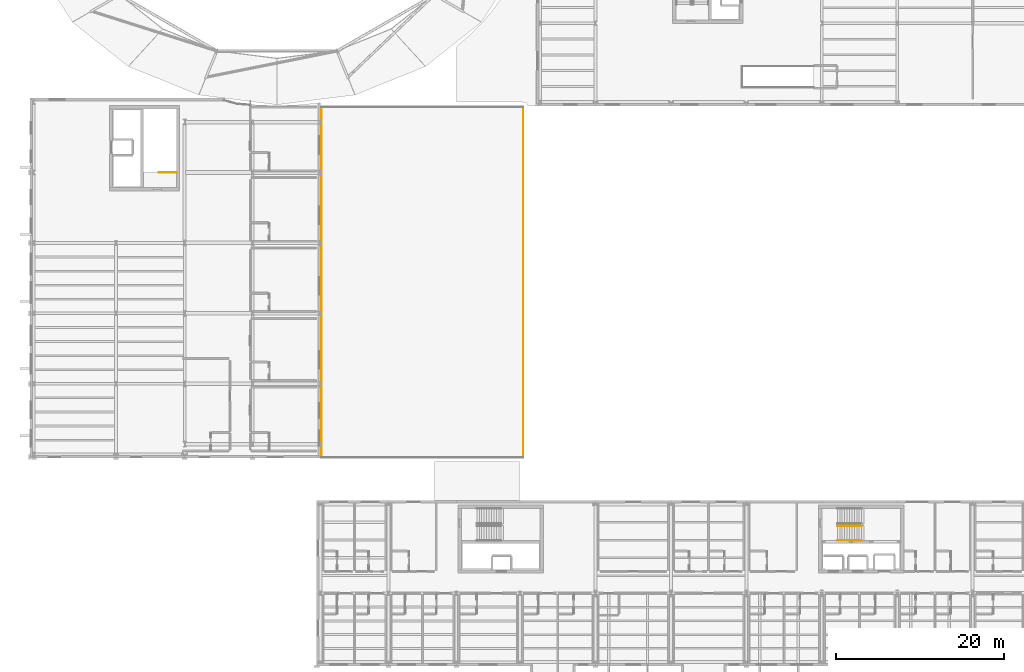
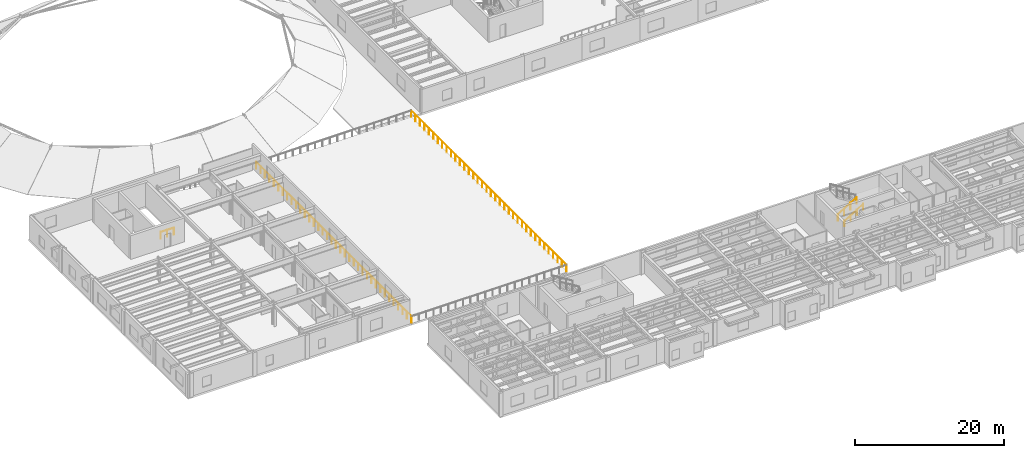
# One storey, part 55 of 59: 5 railings.
"""IFC4 building model written with IfcOpenShell, lengths in metres."""

from ifc_helpers import new_model, si_unit, direction, frame, origin, origin_2d, place, context, subcontext, project, spatial, circle, extrude, material, type_object, element, save


model = new_model("IFC4")

# Units and contexts
model_context = context("Model", 3, precision=1e-05, world=origin(), true_north=direction((0.0, 1.0)))
body_context = subcontext(model_context, "Body", "Model", "MODEL_VIEW")
ifc_project = project(units=[si_unit("LENGTHUNIT", "METRE"), si_unit("AREAUNIT", "SQUARE_METRE"), si_unit("VOLUMEUNIT", "CUBIC_METRE"), si_unit("PLANEANGLEUNIT", "RADIAN"), si_unit("MASSUNIT", "GRAM", prefix="KILO")], contexts=[model_context])

# Site, building, storey
site_placement = place(None, origin())
site = spatial("IfcSite", under=ifc_project, at=site_placement, CompositionType="ELEMENT")
building_placement = place(site_placement, origin())
building = spatial("IfcBuilding", under=site, at=building_placement, Name="Sollismere Congress Hotel", CompositionType="ELEMENT")
storey_placement = place(building_placement, frame((0.0, 0.0, 15.60009765625)))
storey = spatial("IfcBuildingStorey", under=building, at=storey_placement, Name="L03", CompositionType="ELEMENT", Elevation=15.60009765625)

# Railings
ifc_material_1 = material(Name="Laminated Safety Glass & Bronze Cap Rail", Category="glass")
railing_type_1 = type_object("IfcRailingType", Name="RL-GD112", PredefinedType="GUARDRAIL", material=ifc_material_1)
railing_1_placement = place(storey_placement, frame((34.300048828125, 24.419921875, 0.0)))
element("IfcRailing", 1, at=railing_1_placement, inside=storey, type_object=railing_type_1, Name="RLG-GD-L03-001", PredefinedType="GUARDRAIL", context=body_context, shape_type="SweptSolid", body=[
    extrude(circle(Radius=0.02392578125, at=origin_2d()), frame((0.0, 0.0, 1.09619140625), z_axis=(0.0, 1.0, 0.0), x_axis=(-1.0, 0.0, 0.0)), (0.0, 0.0, 1.0), 41.800048828125),
    extrude(circle(Radius=0.02099609375, at=origin_2d()), origin(), (0.0, 0.0, 1.0), 1.072021484375),
    extrude(circle(Radius=0.02099609375, at=origin_2d()), frame((0.0, 1.1943359375, 0.0)), (0.0, 0.0, 1.0), 1.072021484375),
    extrude(circle(Radius=0.02099609375, at=origin_2d()), frame((0.0, 2.388671875, 0.0)), (0.0, 0.0, 1.0), 1.072021484375),
    extrude(circle(Radius=0.02099609375, at=origin_2d()), frame((0.0, 3.582763671875, 0.0)), (0.0, 0.0, 1.0), 1.072021484375),
    extrude(circle(Radius=0.02099609375, at=origin_2d()), frame((0.0, 4.777099609375, 0.0)), (0.0, 0.0, 1.0), 1.072021484375),
    extrude(circle(Radius=0.02099609375, at=origin_2d()), frame((0.0, 5.971435546875, 0.0)), (0.0, 0.0, 1.0), 1.072021484375),
    extrude(circle(Radius=0.02099609375, at=origin_2d()), frame((0.0, 7.165771484375, 0.0)), (0.0, 0.0, 1.0), 1.072021484375),
    extrude(circle(Radius=0.02099609375, at=origin_2d()), frame((0.0, 8.360107421875, 0.0)), (0.0, 0.0, 1.0), 1.072021484375),
    extrude(circle(Radius=0.02099609375, at=origin_2d()), frame((0.0, 9.55419921875, 0.0)), (0.0, 0.0, 1.0), 1.072021484375),
    extrude(circle(Radius=0.02099609375, at=origin_2d()), frame((0.0, 10.74853515625, 0.0)), (0.0, 0.0, 1.0), 1.072021484375),
    extrude(circle(Radius=0.02099609375, at=origin_2d()), frame((0.0, 11.94287109375, 0.0)), (0.0, 0.0, 1.0), 1.072021484375),
    extrude(circle(Radius=0.02099609375, at=origin_2d()), frame((0.0, 13.13720703125, 0.0)), (0.0, 0.0, 1.0), 1.072021484375),
    extrude(circle(Radius=0.02099609375, at=origin_2d()), frame((0.0, 14.33154296875, 0.0)), (0.0, 0.0, 1.0), 1.072021484375),
    extrude(circle(Radius=0.02099609375, at=origin_2d()), frame((0.0, 15.525634765625, 0.0)), (0.0, 0.0, 1.0), 1.072021484375),
    extrude(circle(Radius=0.02099609375, at=origin_2d()), frame((0.0, 16.719970703125, 0.0)), (0.0, 0.0, 1.0), 1.072021484375),
    extrude(circle(Radius=0.02099609375, at=origin_2d()), frame((0.0, 17.914306640625, 0.0)), (0.0, 0.0, 1.0), 1.072021484375),
    extrude(circle(Radius=0.02099609375, at=origin_2d()), frame((0.0, 19.108642578125, 0.0)), (0.0, 0.0, 1.0), 1.072021484375),
    extrude(circle(Radius=0.02099609375, at=origin_2d()), frame((0.0, 20.302978515625, 0.0)), (0.0, 0.0, 1.0), 1.072021484375),
    extrude(circle(Radius=0.02099609375, at=origin_2d()), frame((0.0, 21.4970703125, 0.0)), (0.0, 0.0, 1.0), 1.072021484375),
    extrude(circle(Radius=0.02099609375, at=origin_2d()), frame((0.0, 22.69140625, 0.0)), (0.0, 0.0, 1.0), 1.072021484375),
    extrude(circle(Radius=0.02099609375, at=origin_2d()), frame((0.0, 23.8857421875, 0.0)), (0.0, 0.0, 1.0), 1.072021484375),
    extrude(circle(Radius=0.02099609375, at=origin_2d()), frame((0.0, 25.080078125, 0.0)), (0.0, 0.0, 1.0), 1.072021484375),
    extrude(circle(Radius=0.02099609375, at=origin_2d()), frame((0.0, 26.2744140625, 0.0)), (0.0, 0.0, 1.0), 1.072021484375),
    extrude(circle(Radius=0.02099609375, at=origin_2d()), frame((0.0, 27.468505859375, 0.0)), (0.0, 0.0, 1.0), 1.072021484375),
    extrude(circle(Radius=0.02099609375, at=origin_2d()), frame((0.0, 28.662841796875, 0.0)), (0.0, 0.0, 1.0), 1.072021484375),
    extrude(circle(Radius=0.02099609375, at=origin_2d()), frame((0.0, 29.857177734375, 0.0)), (0.0, 0.0, 1.0), 1.072021484375),
    extrude(circle(Radius=0.02099609375, at=origin_2d()), frame((0.0, 31.051513671875, 0.0)), (0.0, 0.0, 1.0), 1.072021484375),
    extrude(circle(Radius=0.02099609375, at=origin_2d()), frame((0.0, 32.245849609375, 0.0)), (0.0, 0.0, 1.0), 1.072021484375),
    extrude(circle(Radius=0.02099609375, at=origin_2d()), frame((0.0, 33.43994140625, 0.0)), (0.0, 0.0, 1.0), 1.072021484375),
    extrude(circle(Radius=0.02099609375, at=origin_2d()), frame((0.0, 34.63427734375, 0.0)), (0.0, 0.0, 1.0), 1.072021484375),
    extrude(circle(Radius=0.02099609375, at=origin_2d()), frame((0.0, 35.82861328125, 0.0)), (0.0, 0.0, 1.0), 1.072021484375),
    extrude(circle(Radius=0.02099609375, at=origin_2d()), frame((0.0, 37.02294921875, 0.0)), (0.0, 0.0, 1.0), 1.072021484375),
    extrude(circle(Radius=0.02099609375, at=origin_2d()), frame((0.0, 38.21728515625, 0.0)), (0.0, 0.0, 1.0), 1.072021484375),
    extrude(circle(Radius=0.02099609375, at=origin_2d()), frame((0.0, 39.411376953125, 0.0)), (0.0, 0.0, 1.0), 1.072021484375),
    extrude(circle(Radius=0.02099609375, at=origin_2d()), frame((0.0, 40.605712890625, 0.0)), (0.0, 0.0, 1.0), 1.072021484375),
    extrude(circle(Radius=0.02099609375, at=origin_2d()), frame((0.0, 41.800048828125, 0.0)), (0.0, 0.0, 1.0), 1.072021484375),
])
railing_2_placement = place(storey_placement, frame((58.3798828125, 66.219970703125, 0.0)))
element("IfcRailing", 2, at=railing_2_placement, inside=storey, type_object=railing_type_1, Name="RLG-GD-L03-003", PredefinedType="GUARDRAIL", context=body_context, shape_type="SweptSolid", body=[
    extrude(circle(Radius=0.02392578125, at=origin_2d()), frame((0.0, 0.0, 1.09619140625), z_axis=(0.0, -1.0, 0.0), x_axis=(1.0, 0.0, 0.0)), (0.0, 0.0, 1.0), 41.800048828125),
    extrude(circle(Radius=0.02099609375, at=origin_2d()), origin(), (0.0, 0.0, 1.0), 1.072021484375),
    extrude(circle(Radius=0.02099609375, at=origin_2d()), frame((0.0, -1.1943359375, 0.0)), (0.0, 0.0, 1.0), 1.072021484375),
    extrude(circle(Radius=0.02099609375, at=origin_2d()), frame((0.0, -2.388671875, 0.0)), (0.0, 0.0, 1.0), 1.072021484375),
    extrude(circle(Radius=0.02099609375, at=origin_2d()), frame((0.0, -3.582763671875, 0.0)), (0.0, 0.0, 1.0), 1.072021484375),
    extrude(circle(Radius=0.02099609375, at=origin_2d()), frame((0.0, -4.777099609375, 0.0)), (0.0, 0.0, 1.0), 1.072021484375),
    extrude(circle(Radius=0.02099609375, at=origin_2d()), frame((0.0, -5.971435546875, 0.0)), (0.0, 0.0, 1.0), 1.072021484375),
    extrude(circle(Radius=0.02099609375, at=origin_2d()), frame((0.0, -7.165771484375, 0.0)), (0.0, 0.0, 1.0), 1.072021484375),
    extrude(circle(Radius=0.02099609375, at=origin_2d()), frame((0.0, -8.360107421875, 0.0)), (0.0, 0.0, 1.0), 1.072021484375),
    extrude(circle(Radius=0.02099609375, at=origin_2d()), frame((0.0, -9.55419921875, 0.0)), (0.0, 0.0, 1.0), 1.072021484375),
    extrude(circle(Radius=0.02099609375, at=origin_2d()), frame((0.0, -10.74853515625, 0.0)), (0.0, 0.0, 1.0), 1.072021484375),
    extrude(circle(Radius=0.02099609375, at=origin_2d()), frame((0.0, -11.94287109375, 0.0)), (0.0, 0.0, 1.0), 1.072021484375),
    extrude(circle(Radius=0.02099609375, at=origin_2d()), frame((0.0, -13.13720703125, 0.0)), (0.0, 0.0, 1.0), 1.072021484375),
    extrude(circle(Radius=0.02099609375, at=origin_2d()), frame((0.0, -14.33154296875, 0.0)), (0.0, 0.0, 1.0), 1.072021484375),
    extrude(circle(Radius=0.02099609375, at=origin_2d()), frame((0.0, -15.525634765625, 0.0)), (0.0, 0.0, 1.0), 1.072021484375),
    extrude(circle(Radius=0.02099609375, at=origin_2d()), frame((0.0, -16.719970703125, 0.0)), (0.0, 0.0, 1.0), 1.072021484375),
    extrude(circle(Radius=0.02099609375, at=origin_2d()), frame((0.0, -17.914306640625, 0.0)), (0.0, 0.0, 1.0), 1.072021484375),
    extrude(circle(Radius=0.02099609375, at=origin_2d()), frame((0.0, -19.108642578125, 0.0)), (0.0, 0.0, 1.0), 1.072021484375),
    extrude(circle(Radius=0.02099609375, at=origin_2d()), frame((0.0, -20.302978515625, 0.0)), (0.0, 0.0, 1.0), 1.072021484375),
    extrude(circle(Radius=0.02099609375, at=origin_2d()), frame((0.0, -21.4970703125, 0.0)), (0.0, 0.0, 1.0), 1.072021484375),
    extrude(circle(Radius=0.02099609375, at=origin_2d()), frame((0.0, -22.69140625, 0.0)), (0.0, 0.0, 1.0), 1.072021484375),
    extrude(circle(Radius=0.02099609375, at=origin_2d()), frame((0.0, -23.8857421875, 0.0)), (0.0, 0.0, 1.0), 1.072021484375),
    extrude(circle(Radius=0.02099609375, at=origin_2d()), frame((0.0, -25.080078125, 0.0)), (0.0, 0.0, 1.0), 1.072021484375),
    extrude(circle(Radius=0.02099609375, at=origin_2d()), frame((0.0, -26.2744140625, 0.0)), (0.0, 0.0, 1.0), 1.072021484375),
    extrude(circle(Radius=0.02099609375, at=origin_2d()), frame((0.0, -27.468505859375, 0.0)), (0.0, 0.0, 1.0), 1.072021484375),
    extrude(circle(Radius=0.02099609375, at=origin_2d()), frame((0.0, -28.662841796875, 0.0)), (0.0, 0.0, 1.0), 1.072021484375),
    extrude(circle(Radius=0.02099609375, at=origin_2d()), frame((0.0, -29.857177734375, 0.0)), (0.0, 0.0, 1.0), 1.072021484375),
    extrude(circle(Radius=0.02099609375, at=origin_2d()), frame((0.0, -31.051513671875, 0.0)), (0.0, 0.0, 1.0), 1.072021484375),
    extrude(circle(Radius=0.02099609375, at=origin_2d()), frame((0.0, -32.245849609375, 0.0)), (0.0, 0.0, 1.0), 1.072021484375),
    extrude(circle(Radius=0.02099609375, at=origin_2d()), frame((0.0, -33.43994140625, 0.0)), (0.0, 0.0, 1.0), 1.072021484375),
    extrude(circle(Radius=0.02099609375, at=origin_2d()), frame((0.0, -34.63427734375, 0.0)), (0.0, 0.0, 1.0), 1.072021484375),
    extrude(circle(Radius=0.02099609375, at=origin_2d()), frame((0.0, -35.82861328125, 0.0)), (0.0, 0.0, 1.0), 1.072021484375),
    extrude(circle(Radius=0.02099609375, at=origin_2d()), frame((0.0, -37.02294921875, 0.0)), (0.0, 0.0, 1.0), 1.072021484375),
    extrude(circle(Radius=0.02099609375, at=origin_2d()), frame((0.0, -38.21728515625, 0.0)), (0.0, 0.0, 1.0), 1.072021484375),
    extrude(circle(Radius=0.02099609375, at=origin_2d()), frame((0.0, -39.411376953125, 0.0)), (0.0, 0.0, 1.0), 1.072021484375),
    extrude(circle(Radius=0.02099609375, at=origin_2d()), frame((0.0, -40.605712890625, 0.0)), (0.0, 0.0, 1.0), 1.072021484375),
    extrude(circle(Radius=0.02099609375, at=origin_2d()), frame((0.0, -41.800048828125, 0.0)), (0.0, 0.0, 1.0), 1.072021484375),
])
ifc_material_2 = material(Name="Steel ASTM A500 Grade C", Category="steel")
railing_type_2 = type_object("IfcRailingType", Name="RL-GRD112", PredefinedType="GUARDRAIL", material=ifc_material_2)
railing_3_placement = place(storey_placement, frame((95.85009765625, 16.25, 0.17724609375)))
element("IfcRailing", 3, at=railing_3_placement, inside=storey, type_object=railing_type_2, Name="RLG-RG-ST-02-L03-1", PredefinedType="GUARDRAIL", context=body_context, shape_type="SweptSolid", body=[
    extrude(circle(Radius=0.02392578125, at=origin_2d()), frame((0.0, 0.0, 1.09619140625), z_axis=(0.853210801645, 0.0, 0.521566225858), x_axis=(0.0, 1.0, 0.0)), (0.0, 0.0, 1.0), 3.39892578125),
    extrude(circle(Radius=0.02099609375, at=origin_2d()), origin(), (0.0, 0.0, 1.0), 1.072021484375),
    extrude(circle(Radius=0.02099609375, at=origin_2d()), frame((0.966552734375, 0.0, 0.5908203125)), (0.0, 0.0, 1.0), 1.072021484375),
    extrude(circle(Radius=0.02099609375, at=origin_2d()), frame((1.933349609375, 0.0, 1.181884765625)), (0.0, 0.0, 1.0), 1.072021484375),
    extrude(circle(Radius=0.02099609375, at=origin_2d()), frame((2.89990234375, 0.0, 1.772705078125)), (0.0, 0.0, 1.0), 1.072021484375),
])
railing_4_placement = place(storey_placement, frame((17.0, 58.39990234375, 0.0)))
element("IfcRailing", 4, at=railing_4_placement, inside=storey, type_object=railing_type_2, Name="RLG-RG-ST-05-TOP1", PredefinedType="GUARDRAIL", context=body_context, shape_type="SweptSolid", body=[
    extrude(circle(Radius=0.02392578125, at=origin_2d()), frame((0.0, 0.0, 1.09619140625), z_axis=(-1.0, 0.0, 0.0), x_axis=(0.0, -1.0, 0.0)), (0.0, 0.0, 1.0), 2.050048828125),
    extrude(circle(Radius=0.02099609375, at=origin_2d()), origin(), (0.0, 0.0, 1.0), 1.072021484375),
    extrude(circle(Radius=0.02099609375, at=origin_2d()), frame((-1.02490234375, 0.0, 0.0)), (0.0, 0.0, 1.0), 1.072021484375),
    extrude(circle(Radius=0.02099609375, at=origin_2d()), frame((-2.050048828125, 0.0, 0.0)), (0.0, 0.0, 1.0), 1.072021484375),
])
ifc_material_3 = material(Name="Brushed Architectural Bronze")
railing_type_3 = type_object("IfcRailingType", Name="RL-HND90", PredefinedType="HANDRAIL", material=ifc_material_3)
railing_5_placement = place(storey_placement, frame((95.85009765625, 14.5, 0.33056640625)))
element("IfcRailing", 5, at=railing_5_placement, inside=storey, type_object=railing_type_3, Name="RLG-RH-ST-02-L03-1", PredefinedType="HANDRAIL", context=body_context, shape_type="SweptSolid", body=[
    extrude(circle(Radius=0.02392578125, at=origin_2d()), frame((0.0, 0.0, 0.8759765625), z_axis=(0.853210801645, 0.0, 0.521566225858), x_axis=(0.0, 1.0, 0.0)), (0.0, 0.0, 1.0), 3.39892578125),
    extrude(circle(Radius=0.02099609375, at=origin_2d()), origin(), (0.0, 0.0, 1.0), 0.851806640625),
    extrude(circle(Radius=0.02099609375, at=origin_2d()), frame((0.966552734375, 0.0, 0.5908203125)), (0.0, 0.0, 1.0), 0.851806640625),
    extrude(circle(Radius=0.02099609375, at=origin_2d()), frame((1.933349609375, 0.0, 1.181884765625)), (0.0, 0.0, 1.0), 0.851806640625),
    extrude(circle(Radius=0.02099609375, at=origin_2d()), frame((2.89990234375, 0.0, 1.772705078125)), (0.0, 0.0, 1.0), 0.851806640625),
])

save(model, "model.ifc")
